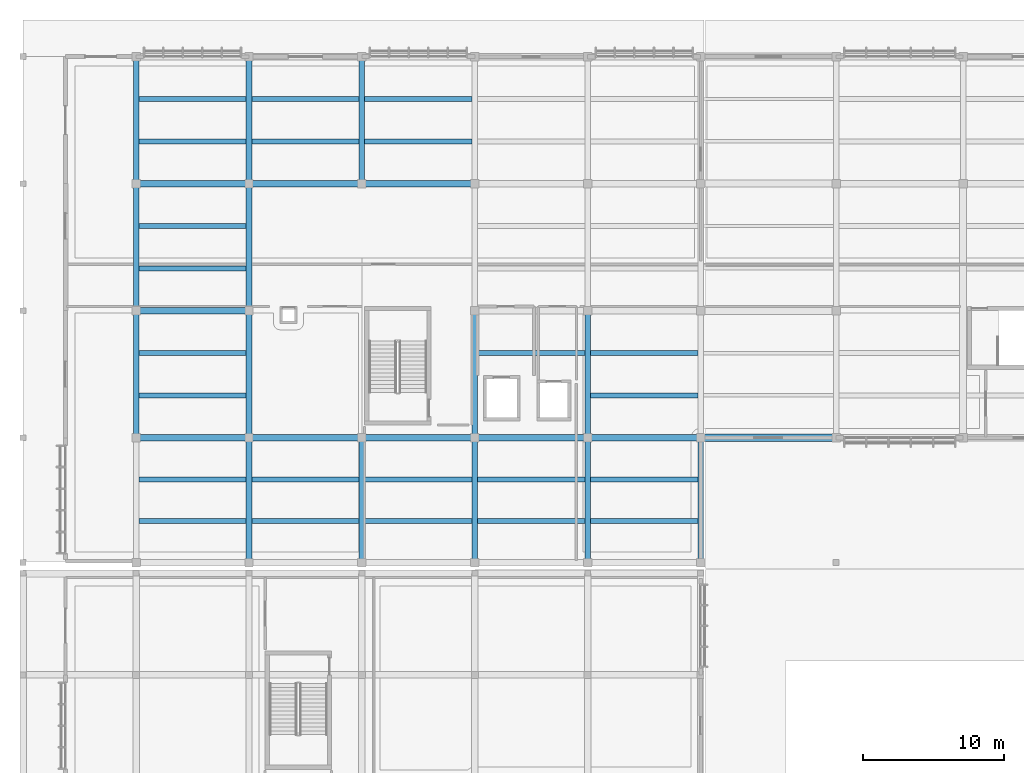
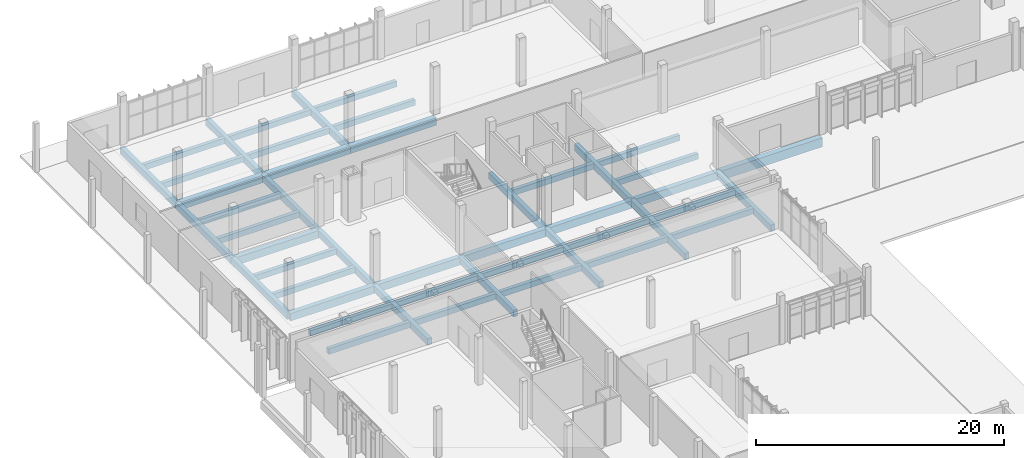
# One storey, part 61 of 151: 47 beams.
"""IFC4 building model written with IfcOpenShell, lengths in metres."""

from ifc_helpers import new_model, si_unit, direction, frame, origin, origin_2d, place, context, subcontext, project, spatial, rectangle, extrude, material, material_profile, profile_set, type_object, element, save


model = new_model("IFC4")

# Units and contexts
model_context = context("Model", 3, precision=1e-05, world=origin(), true_north=direction((0.0, 1.0)))
body_context = subcontext(model_context, "Body", "Model", "MODEL_VIEW")
ifc_project = project(units=[si_unit("LENGTHUNIT", "METRE"), si_unit("AREAUNIT", "SQUARE_METRE"), si_unit("VOLUMEUNIT", "CUBIC_METRE"), si_unit("PLANEANGLEUNIT", "RADIAN"), si_unit("MASSUNIT", "GRAM", prefix="KILO")], contexts=[model_context])

# Site, building, storey
site_placement = place(None, origin())
site = spatial("IfcSite", under=ifc_project, at=site_placement, CompositionType="ELEMENT")
building_placement = place(site_placement, origin())
building = spatial("IfcBuilding", under=site, at=building_placement, Name="Chiffa Square Polytechnic", CompositionType="ELEMENT")
storey_placement = place(building_placement, origin())
storey = spatial("IfcBuildingStorey", under=building, at=storey_placement, Name="L00", CompositionType="ELEMENT", Elevation=0.0)

# Beams
ifc_material_1 = material(Name="Concrete C35/45", Category="concrete")
ifc_material_profile_1 = material_profile(ifc_material_1, rectangle(XDim=0.39990234375, YDim=0.64990234375, at=origin_2d()), Name="RC 400x650")
ifc_profile_set_1 = profile_set([ifc_material_profile_1], Name="Concrete C35/45")
beam_type_1 = type_object("IfcBeamType", Name="BM-RC-400X650", PredefinedType="BEAM", material=ifc_profile_set_1)
for number, where, z_axis, x_axis, name in (
    (1, (8.0, 103.800048828125, -0.675048828125), (0.0, 1.0, 0.0), (-1.0, 0.0, 0.0), "Primary floor girder BM-V5-L00-Y-0080-1038"),
    (2, (8.0, 112.800048828125, -0.675048828125), (0.0, 1.0, 0.0), (-1.0, 0.0, 0.0), "Primary floor girder BM-V5-L00-Y-0080-1128"),
    (3, (8.0, 121.800048828125, -0.675048828125), (0.0, 1.0, 0.0), (-1.0, 0.0, 0.0), "Primary floor girder BM-V5-L00-Y-0080-1218"),
):
    element("IfcBeam", number, at=place(storey_placement, frame(where, z_axis=z_axis, x_axis=x_axis)), inside=storey, type_object=beam_type_1, Name=name, PredefinedType="BEAM", context=body_context, shape_type="SweptSolid", body=[
        extrude(rectangle(XDim=0.39990234375, YDim=0.64990234375, at=origin_2d()), origin(), (0.0, 0.0, 1.0), 9.0),
    ])
beam_1_placement = place(storey_placement, frame((16.0, 94.949951171875, -0.675048828125), z_axis=(0.0, 1.0, 0.0), x_axis=(-1.0, 0.0, 0.0)))
element("IfcBeam", 4, at=beam_1_placement, inside=storey, type_object=beam_type_1, Name="Primary floor girder BM-V5-L00-Y-0160-0950", PredefinedType="BEAM", context=body_context, shape_type="SweptSolid", body=[
    extrude(rectangle(XDim=0.39990234375, YDim=0.64990234375, at=origin_2d()), origin(), (0.0, 0.0, 1.0), 8.85009765625),
])
for number, where, z_axis, x_axis, name in (
    (5, (16.0, 103.800048828125, -0.675048828125), (0.0, 1.0, 0.0), (-1.0, 0.0, 0.0), "Primary floor girder BM-V5-L00-Y-0160-1038"),
    (6, (16.0, 112.800048828125, -0.675048828125), (0.0, 1.0, 0.0), (-1.0, 0.0, 0.0), "Primary floor girder BM-V5-L00-Y-0160-1128"),
    (7, (16.0, 121.800048828125, -0.675048828125), (0.0, 1.0, 0.0), (-1.0, 0.0, 0.0), "Primary floor girder BM-V5-L00-Y-0160-1218"),
):
    element("IfcBeam", number, at=place(storey_placement, frame(where, z_axis=z_axis, x_axis=x_axis)), inside=storey, type_object=beam_type_1, Name=name, PredefinedType="BEAM", context=body_context, shape_type="SweptSolid", body=[
        extrude(rectangle(XDim=0.39990234375, YDim=0.64990234375, at=origin_2d()), origin(), (0.0, 0.0, 1.0), 9.0),
    ])
beam_2_placement = place(storey_placement, frame((24.0, 94.949951171875, -0.675048828125), z_axis=(0.0, 1.0, 0.0), x_axis=(-1.0, 0.0, 0.0)))
element("IfcBeam", 8, at=beam_2_placement, inside=storey, type_object=beam_type_1, Name="Primary floor girder BM-V5-L00-Y-0240-0950", PredefinedType="BEAM", context=body_context, shape_type="SweptSolid", body=[
    extrude(rectangle(XDim=0.39990234375, YDim=0.64990234375, at=origin_2d()), origin(), (0.0, 0.0, 1.0), 8.85009765625),
])
beam_3_placement = place(storey_placement, frame((24.0, 121.800048828125, -0.675048828125), z_axis=(0.0, 1.0, 0.0), x_axis=(-1.0, 0.0, 0.0)))
element("IfcBeam", 9, at=beam_3_placement, inside=storey, type_object=beam_type_1, Name="Primary floor girder BM-V5-L00-Y-0240-1218", PredefinedType="BEAM", context=body_context, shape_type="SweptSolid", body=[
    extrude(rectangle(XDim=0.39990234375, YDim=0.64990234375, at=origin_2d()), origin(), (0.0, 0.0, 1.0), 9.0),
])
beam_4_placement = place(storey_placement, frame((32.0, 94.949951171875, -0.675048828125), z_axis=(0.0, 1.0, 0.0), x_axis=(-1.0, 0.0, 0.0)))
element("IfcBeam", 10, at=beam_4_placement, inside=storey, type_object=beam_type_1, Name="Primary floor girder BM-V5-L00-Y-0320-0950", PredefinedType="BEAM", context=body_context, shape_type="SweptSolid", body=[
    extrude(rectangle(XDim=0.39990234375, YDim=0.64990234375, at=origin_2d()), origin(), (0.0, 0.0, 1.0), 8.85009765625),
])
beam_5_placement = place(storey_placement, frame((32.0, 103.800048828125, -0.675048828125), z_axis=(0.0, 1.0, 0.0), x_axis=(-1.0, 0.0, 0.0)))
element("IfcBeam", 11, at=beam_5_placement, inside=storey, type_object=beam_type_1, Name="Primary floor girder BM-V5-L00-Y-0320-1038", PredefinedType="BEAM", context=body_context, shape_type="SweptSolid", body=[
    extrude(rectangle(XDim=0.39990234375, YDim=0.64990234375, at=origin_2d()), origin(), (0.0, 0.0, 1.0), 9.0),
])
beam_6_placement = place(storey_placement, frame((40.0, 94.949951171875, -0.675048828125), z_axis=(0.0, 1.0, 0.0), x_axis=(-1.0, 0.0, 0.0)))
element("IfcBeam", 12, at=beam_6_placement, inside=storey, type_object=beam_type_1, Name="Primary floor girder BM-V5-L00-Y-0400-0950", PredefinedType="BEAM", context=body_context, shape_type="SweptSolid", body=[
    extrude(rectangle(XDim=0.39990234375, YDim=0.64990234375, at=origin_2d()), origin(), (0.0, 0.0, 1.0), 8.85009765625),
])
beam_7_placement = place(storey_placement, frame((40.0, 103.800048828125, -0.675048828125), z_axis=(0.0, 1.0, 0.0), x_axis=(-1.0, 0.0, 0.0)))
element("IfcBeam", 13, at=beam_7_placement, inside=storey, type_object=beam_type_1, Name="Primary floor girder BM-V5-L00-Y-0400-1038", PredefinedType="BEAM", context=body_context, shape_type="SweptSolid", body=[
    extrude(rectangle(XDim=0.39990234375, YDim=0.64990234375, at=origin_2d()), origin(), (0.0, 0.0, 1.0), 9.0),
])
beam_8_placement = place(storey_placement, frame((48.0, 94.949951171875, -0.675048828125), z_axis=(0.0, 1.0, 0.0), x_axis=(-1.0, 0.0, 0.0)))
element("IfcBeam", 14, at=beam_8_placement, inside=storey, type_object=beam_type_1, Name="Primary floor girder BM-V5-L00-Y-0480-0950", PredefinedType="BEAM", context=body_context, shape_type="SweptSolid", body=[
    extrude(rectangle(XDim=0.39990234375, YDim=0.64990234375, at=origin_2d()), origin(), (0.0, 0.0, 1.0), 8.85009765625),
])
ifc_material_profile_2 = material_profile(ifc_material_1, rectangle(XDim=0.449951171875, YDim=0.75, at=origin_2d()), Name="RC 450x750")
ifc_profile_set_2 = profile_set([ifc_material_profile_2], Name="Concrete C35/45")
beam_type_2 = type_object("IfcBeamType", Name="BM-RC-450X750", PredefinedType="BEAM", material=ifc_profile_set_2)
for number, where, z_axis, x_axis, name in (
    (15, (8.0, 103.800048828125, -0.72509765625), (1.0, 0.0, 0.0), (0.0, 1.0, 0.0), "Primary floor girder BM-V5-L00-X-0080-1038"),
    (16, (16.0, 103.800048828125, -0.72509765625), (1.0, 0.0, 0.0), (0.0, 1.0, 0.0), "Primary floor girder BM-V5-L00-X-0160-1038"),
    (17, (24.0, 103.800048828125, -0.72509765625), (1.0, 0.0, 0.0), (0.0, 1.0, 0.0), "Primary floor girder BM-V5-L00-X-0240-1038"),
    (18, (32.0, 103.800048828125, -0.72509765625), (1.0, 0.0, 0.0), (0.0, 1.0, 0.0), "Primary floor girder BM-V5-L00-X-0320-1038"),
    (19, (40.0, 103.800048828125, -0.72509765625), (1.0, 0.0, 0.0), (0.0, 1.0, 0.0), "Primary floor girder BM-V5-L00-X-0400-1038"),
    (20, (8.0, 112.800048828125, -0.72509765625), (1.0, 0.0, 0.0), (0.0, 1.0, 0.0), "Primary floor girder BM-V5-L00-X-0080-1128"),
    (21, (8.0, 121.800048828125, -0.72509765625), (1.0, 0.0, 0.0), (0.0, 1.0, 0.0), "Primary floor girder BM-V5-L00-X-0080-1218"),
    (22, (16.0, 121.800048828125, -0.72509765625), (1.0, 0.0, 0.0), (0.0, 1.0, 0.0), "Primary floor girder BM-V5-L00-X-0160-1218"),
    (23, (24.0, 121.800048828125, -0.72509765625), (1.0, 0.0, 0.0), (0.0, 1.0, 0.0), "Primary floor girder BM-V5-L00-X-0240-1218"),
):
    element("IfcBeam", number, at=place(storey_placement, frame(where, z_axis=z_axis, x_axis=x_axis)), inside=storey, type_object=beam_type_2, Name=name, PredefinedType="BEAM", context=body_context, shape_type="SweptSolid", body=[
        extrude(rectangle(XDim=0.449951171875, YDim=0.75, at=origin_2d()), origin(), (0.0, 0.0, 1.0), 8.0),
    ])
ifc_material_2 = material(Name="Concrete C40/50", Category="concrete")
ifc_material_profile_3 = material_profile(ifc_material_2, rectangle(XDim=0.5, YDim=0.89990234375, at=origin_2d()), Name="RC 500x900")
ifc_profile_set_3 = profile_set([ifc_material_profile_3], Name="Concrete C40/50")
beam_type_3 = type_object("IfcBeamType", Name="BM-RC-500X900", PredefinedType="BEAM", material=ifc_profile_set_3)
beam_9_placement = place(storey_placement, frame((48.0, 103.800048828125, -0.800048828125), z_axis=(1.0, 0.0, 0.0), x_axis=(0.0, 1.0, 0.0)))
element("IfcBeam", 24, at=beam_9_placement, inside=storey, type_object=beam_type_3, Name="Primary floor girder BM-V5-L00-X-0480-1038", PredefinedType="BEAM", context=body_context, shape_type="SweptSolid", body=[
    extrude(rectangle(XDim=0.5, YDim=0.89990234375, at=origin_2d()), origin(), (0.0, 0.0, 1.0), 9.60009765625),
])
ifc_material_profile_4 = material_profile(ifc_material_1, rectangle(XDim=0.35009765625, YDim=0.550048828125, at=origin_2d()), Name="RC 350x550")
ifc_profile_set_4 = profile_set([ifc_material_profile_4], Name="Concrete C35/45")
beam_type_4 = type_object("IfcBeamType", Name="JST-RC-350X550", PredefinedType="JOIST", material=ifc_profile_set_4)
for number, where, z_axis, x_axis, name in (
    (25, (8.197998046875, 97.89990234375, -0.625), (1.0, 0.0, 0.0), (0.0, 1.0, 0.0), "Secondary floor joist JST-V5-L00-0080-0979"),
    (26, (8.197998046875, 100.85009765625, -0.625), (1.0, 0.0, 0.0), (0.0, 1.0, 0.0), "Secondary floor joist JST-V5-L00-0080-1008"),
    (27, (8.197998046875, 106.800048828125, -0.625), (1.0, 0.0, 0.0), (0.0, 1.0, 0.0), "Secondary floor joist JST-V5-L00-0080-1068"),
    (28, (8.197998046875, 109.800048828125, -0.625), (1.0, 0.0, 0.0), (0.0, 1.0, 0.0), "Secondary floor joist JST-V5-L00-0080-1098"),
    (29, (8.197998046875, 115.800048828125, -0.625), (1.0, 0.0, 0.0), (0.0, 1.0, 0.0), "Secondary floor joist JST-V5-L00-0080-1158"),
    (30, (8.197998046875, 118.800048828125, -0.625), (1.0, 0.0, 0.0), (0.0, 1.0, 0.0), "Secondary floor joist JST-V5-L00-0080-1188"),
    (31, (8.197998046875, 124.800048828125, -0.625), (1.0, 0.0, 0.0), (0.0, 1.0, 0.0), "Secondary floor joist JST-V5-L00-0080-1248"),
    (32, (8.197998046875, 127.800048828125, -0.625), (1.0, 0.0, 0.0), (0.0, 1.0, 0.0), "Secondary floor joist JST-V5-L00-0080-1278"),
    (33, (16.197998046875, 97.89990234375, -0.625), (1.0, 0.0, 0.0), (0.0, 1.0, 0.0), "Secondary floor joist JST-V5-L00-0160-0979"),
    (34, (16.197998046875, 100.85009765625, -0.625), (1.0, 0.0, 0.0), (0.0, 1.0, 0.0), "Secondary floor joist JST-V5-L00-0160-1008"),
    (35, (16.197998046875, 124.800048828125, -0.625), (1.0, 0.0, 0.0), (0.0, 1.0, 0.0), "Secondary floor joist JST-V5-L00-0160-1248"),
    (36, (16.197998046875, 127.800048828125, -0.625), (1.0, 0.0, 0.0), (0.0, 1.0, 0.0), "Secondary floor joist JST-V5-L00-0160-1278"),
    (37, (24.197998046875, 97.89990234375, -0.625), (1.0, 0.0, 0.0), (0.0, 1.0, 0.0), "Secondary floor joist JST-V5-L00-0240-0979"),
    (38, (24.197998046875, 100.85009765625, -0.625), (1.0, 0.0, 0.0), (0.0, 1.0, 0.0), "Secondary floor joist JST-V5-L00-0240-1008"),
    (39, (24.197998046875, 124.800048828125, -0.625), (1.0, 0.0, 0.0), (0.0, 1.0, 0.0), "Secondary floor joist JST-V5-L00-0240-1248"),
    (40, (24.197998046875, 127.800048828125, -0.625), (1.0, 0.0, 0.0), (0.0, 1.0, 0.0), "Secondary floor joist JST-V5-L00-0240-1278"),
    (41, (32.197998046875, 97.89990234375, -0.625), (1.0, 0.0, 0.0), (0.0, 1.0, 0.0), "Secondary floor joist JST-V5-L00-0320-0979"),
    (42, (32.197998046875, 100.85009765625, -0.625), (1.0, 0.0, 0.0), (0.0, 1.0, 0.0), "Secondary floor joist JST-V5-L00-0320-1008"),
    (43, (32.197998046875, 109.800048828125, -0.625), (1.0, 0.0, 0.0), (0.0, 1.0, 0.0), "Secondary floor joist JST-V5-L00-0320-1098"),
    (44, (40.197998046875, 97.89990234375, -0.625), (1.0, 0.0, 0.0), (0.0, 1.0, 0.0), "Secondary floor joist JST-V5-L00-0400-0979"),
    (45, (40.197998046875, 100.85009765625, -0.625), (1.0, 0.0, 0.0), (0.0, 1.0, 0.0), "Secondary floor joist JST-V5-L00-0400-1008"),
    (46, (40.197998046875, 106.800048828125, -0.625), (1.0, 0.0, 0.0), (0.0, 1.0, 0.0), "Secondary floor joist JST-V5-L00-0400-1068"),
    (47, (40.197998046875, 109.800048828125, -0.625), (1.0, 0.0, 0.0), (0.0, 1.0, 0.0), "Secondary floor joist JST-V5-L00-0400-1098"),
):
    element("IfcBeam", number, at=place(storey_placement, frame(where, z_axis=z_axis, x_axis=x_axis)), inside=storey, type_object=beam_type_4, Name=name, PredefinedType="JOIST", context=body_context, shape_type="SweptSolid", body=[
        extrude(rectangle(XDim=0.35009765625, YDim=0.550048828125, at=origin_2d()), origin(), (0.0, 0.0, 1.0), 7.60400390625),
    ])

save(model, "model.ifc")
